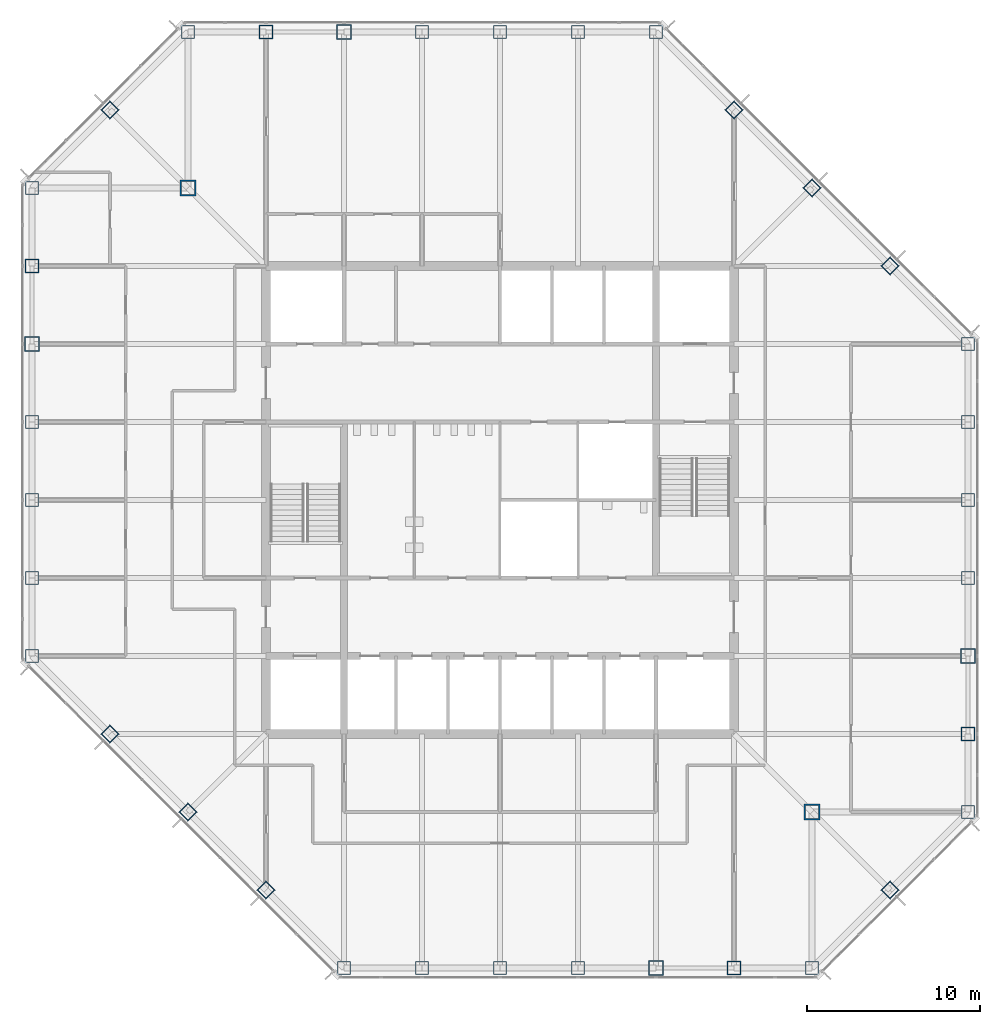
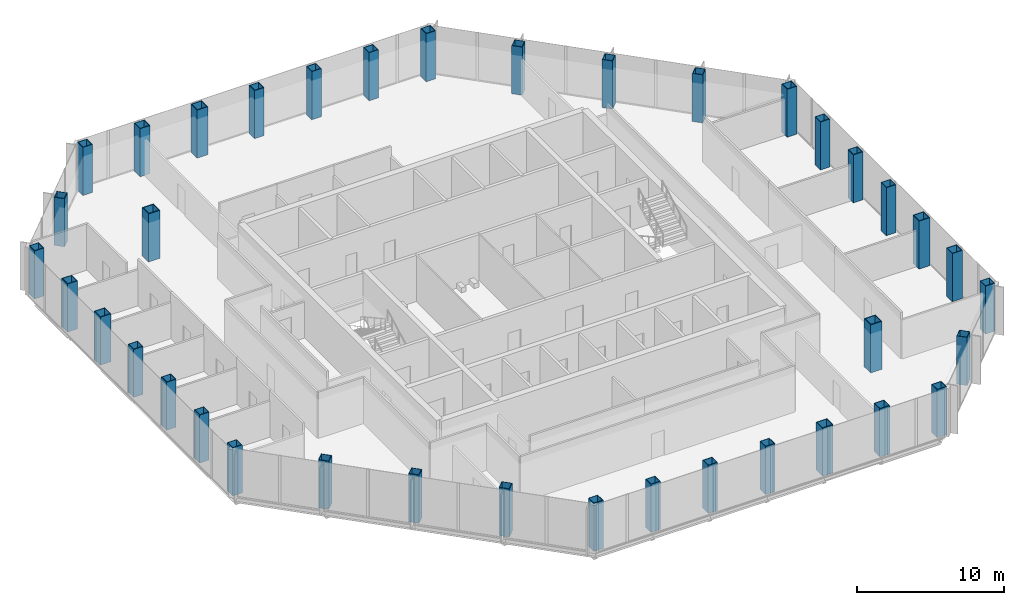
# One storey, part 1 of 13: 38 columns.
"""IFC4 building model written with IfcOpenShell, lengths in metres."""

import ifcopenshell
import ifcopenshell.guid

model = None  # the IFC model being written
_history = None  # IfcOwnerHistory: only IFC2X3 demands one
_inside = {}  # id of a spatial element -> (the spatial element, [elements in it])
_under = {}  # id of a project, library or spatial element -> (it, [spatial elements below it])
_declared = {}  # id of a project -> (the project, [libraries it declares])
_typed = {}  # id of a type object -> (the type object, [elements of that type])
_made_of = {}  # id of a material, layer set ... -> (it, [elements and type objects made of it])


def new_model(schema):
    """Start an empty IFC model of exactly this schema.

    Asked for "IFC4X3", IfcOpenShell would pick the latest addendum, in which some entities
    have other attributes; the version numbers below select the first issue.
    IFC2X3 requires an IfcOwnerHistory on every rooted entity: one is made here for all.
    """
    global model, _history
    if schema == "IFC4X3":
        model = ifcopenshell.file(schema_version=(4, 3, 0, 0))
    else:
        model = ifcopenshell.file(schema=schema)
    _inside.clear()
    _under.clear()
    _declared.clear()
    _typed.clear()
    _made_of.clear()
    _history = None
    if model.schema == "IFC2X3":
        org = make("IfcOrganization", Name="unknown")
        user = make(
            "IfcPersonAndOrganization",
            ThePerson=make("IfcPerson", FamilyName="unknown"),
            TheOrganization=org,
        )
        app = make(
            "IfcApplication",
            ApplicationDeveloper=org,
            Version="unknown",
            ApplicationFullName="unknown",
            ApplicationIdentifier="unknown",
        )
        _history = make(
            "IfcOwnerHistory",
            OwningUser=user,
            OwningApplication=app,
            ChangeAction="ADDED",
            CreationDate=0,
        )
    return model


def make(cls, **values):
    """One entity of the class cls with the attributes given. An attribute that is None is left unset."""
    return model.create_entity(
        cls, **{name: value for name, value in values.items() if value is not None}
    )


def rooted(cls, **values):
    """An entity with a GlobalId (a new one), such as an element, a storey or a relation."""
    return make(cls, GlobalId=ifcopenshell.guid.new(), OwnerHistory=_history, **values)


def si_unit(unit_type, name, prefix=None):
    """IfcSIUnit, for example si_unit("LENGTHUNIT", "METRE", prefix="MILLI")."""
    return make("IfcSIUnit", UnitType=unit_type, Prefix=prefix, Name=name)


def assignment(units):
    """IfcUnitAssignment: the units of a project."""
    return None if units is None else make("IfcUnitAssignment", Units=units)


def point(xyz):
    """IfcCartesianPoint."""
    return None if xyz is None else make("IfcCartesianPoint", Coordinates=xyz)


def direction(xyz):
    """IfcDirection."""
    return None if xyz is None else make("IfcDirection", DirectionRatios=xyz)


def frame(location, z_axis=None, x_axis=None):
    """IfcAxis2Placement3D, a coordinate frame: its origin and axes. An axis left out is left unset."""
    return make(
        "IfcAxis2Placement3D",
        Location=point(location),
        Axis=direction(z_axis),
        RefDirection=direction(x_axis),
    )


def frame_2d(location, x_axis=None):
    """IfcAxis2Placement2D, a coordinate frame in the plane: its origin and x axis."""
    return make(
        "IfcAxis2Placement2D", Location=point(location), RefDirection=direction(x_axis)
    )


def origin():
    """The frame at (0, 0, 0) with its axes left unset."""
    return frame((0.0, 0.0, 0.0))


def origin_2d():
    """The frame at (0, 0) in the plane with its x axis left unset."""
    return frame_2d((0.0, 0.0))


def place(relative_to, where):
    """IfcLocalPlacement: puts the frame where relative to a parent placement (None: the world)."""
    return make(
        "IfcLocalPlacement", PlacementRelTo=relative_to, RelativePlacement=where
    )


def context(
    kind, dimensions, precision=None, world=None, true_north=None, identifier=None
):
    """IfcGeometricRepresentationContext, for example the 3D "Model" context."""
    return make(
        "IfcGeometricRepresentationContext",
        ContextIdentifier=identifier,
        ContextType=kind,
        CoordinateSpaceDimension=dimensions,
        Precision=precision,
        WorldCoordinateSystem=world,
        TrueNorth=true_north,
    )


def subcontext(parent, identifier, kind, view, scale=None):
    """IfcGeometricRepresentationSubContext, for example "Body" below "Model"."""
    return make(
        "IfcGeometricRepresentationSubContext",
        ContextIdentifier=identifier,
        ContextType=kind,
        ParentContext=parent,
        TargetScale=scale,
        TargetView=view,
    )


def project(units=None, contexts=None):
    """IfcProject with its units and contexts."""
    return rooted(
        "IfcProject",
        Name="project",
        RepresentationContexts=contexts,
        UnitsInContext=assignment(units),
    )


def spatial(cls, under=None, at=None, **own):
    """A site, building, storey or space (cls), placed at a placement, below another one or the project."""
    s = rooted(cls, ObjectPlacement=at, **own)
    if under is not None:
        _under.setdefault(under.id(), (under, []))[1].append(s)
    return s


def profile(cls, at=None, kind="AREA", **sizes):
    """A parametric profile (cls). Its sizes go by their IFC names, for example OverallWidth=200.0."""
    return make(cls, ProfileType=kind, Position=at, **sizes)


def hollow_rectangle(**sizes):
    """IfcRectangleHollowProfileDef."""
    return profile("IfcRectangleHollowProfileDef", **sizes)


def extrude(swept, where, along, depth):
    """IfcExtrudedAreaSolid: the profile swept, set in the frame where, extruded along a direction by depth."""
    return make(
        "IfcExtrudedAreaSolid",
        SweptArea=swept,
        Position=where,
        ExtrudedDirection=direction(along),
        Depth=depth,
    )


def shape(context_of_items, identifier, shape_type, items):
    """IfcShapeRepresentation: the items that make up one representation, for example the "Body"."""
    return make(
        "IfcShapeRepresentation",
        ContextOfItems=context_of_items,
        RepresentationIdentifier=identifier,
        RepresentationType=shape_type,
        Items=items,
    )


def material(Name=None, Category=None):
    """IfcMaterial."""
    return make("IfcMaterial", Name=Name, Category=Category)


def material_profile(
    of_material, cross_section, Name=None, Category=None, Priority=None
):
    """IfcMaterialProfile: a cross section and its material."""
    return make(
        "IfcMaterialProfile",
        Name=Name,
        Material=of_material,
        Profile=cross_section,
        Priority=Priority,
        Category=Category,
    )


def profile_set(profiles, Name=None, composite=None):
    """IfcMaterialProfileSet."""
    return make(
        "IfcMaterialProfileSet",
        Name=Name,
        MaterialProfiles=profiles,
        CompositeProfile=composite,
    )


def made_of(thing, what):
    """Note that an element or type object is made of a material, layer set ...; save() writes the relation."""
    if what is not None:
        _made_of.setdefault(what.id(), (what, []))[1].append(thing)
    return thing


def type_object(cls, material=None, **own):
    """A type object (cls), such as IfcWallType, which elements share."""
    return made_of(rooted(cls, **own), material)


def element(
    cls,
    number,
    at=None,
    inside=None,
    cuts=None,
    type_object=None,
    material=None,
    context=None,
    identifier="Body",
    shape_type=None,
    held_by="IfcProductDefinitionShape",
    body=None,
    shapes=None,
    **own,
):
    """One element of the class cls, such as IfcWall. Its Tag is "e" and its number.

    at: its placement. inside: the storey or other place that contains it. cuts: it is an
    opening in that element (IfcRelVoidsElement). A single representation is given by context,
    identifier, shape_type and body (its items); several are given by shapes. held_by: the class
    of the entity that holds the representations. save() writes the other relations.
    """
    e = rooted(cls, Tag="e%d" % number, ObjectPlacement=at, **own)
    if body is not None:
        shapes = [shape(context, identifier, shape_type, body)]
    if shapes is not None:
        e.Representation = make(held_by, Representations=shapes)
    if inside is not None:
        _inside.setdefault(inside.id(), (inside, []))[1].append(e)
    if cuts is not None:
        rooted(
            "IfcRelVoidsElement", RelatingBuildingElement=cuts, RelatedOpeningElement=e
        )
    if type_object is not None:
        _typed.setdefault(type_object.id(), (type_object, []))[1].append(e)
    return made_of(e, material)


def aggregate(whole, parts):
    """IfcRelAggregates: a whole, such as a stair, and the parts it consists of."""
    return rooted("IfcRelAggregates", RelatingObject=whole, RelatedObjects=parts)


def save(model, path):
    """Write the relations noted so far, then the file.

    IfcRelAggregates (storeys below a building ...), IfcRelContainedInSpatialStructure (elements
    in a storey), IfcRelDefinesByType, IfcRelAssociatesMaterial and IfcRelDeclares: one each for
    every whole, place, type object, material and project.
    """
    for whole, parts in _under.values():
        aggregate(whole, parts)
    for where, things in _inside.values():
        rooted(
            "IfcRelContainedInSpatialStructure",
            RelatedElements=things,
            RelatingStructure=where,
        )
    for kind, things in _typed.values():
        rooted("IfcRelDefinesByType", RelatedObjects=things, RelatingType=kind)
    for what, things in _made_of.values():
        rooted("IfcRelAssociatesMaterial", RelatedObjects=things, RelatingMaterial=what)
    for by, libraries in _declared.values():
        rooted("IfcRelDeclares", RelatingContext=by, RelatedDefinitions=libraries)
    model.write(path)


model = new_model("IFC4")

# Units and contexts
model_context = context("Model", 3, precision=1e-05, world=origin(), true_north=direction((0.0, 1.0)))
body_context = subcontext(model_context, "Body", "Model", "MODEL_VIEW")
ifc_project = project(units=[si_unit("LENGTHUNIT", "METRE"), si_unit("AREAUNIT", "SQUARE_METRE"), si_unit("VOLUMEUNIT", "CUBIC_METRE"), si_unit("PLANEANGLEUNIT", "RADIAN"), si_unit("MASSUNIT", "GRAM", prefix="KILO")], contexts=[model_context])

# Site, building, storey
site_placement = place(None, origin())
site = spatial("IfcSite", under=ifc_project, at=site_placement, CompositionType="ELEMENT")
building_placement = place(site_placement, origin())
building = spatial("IfcBuilding", under=site, at=building_placement, Name="Corais Broadcast Tower", CompositionType="ELEMENT")
storey_placement = place(building_placement, frame((0.0, 0.0, 151.60009765625)))
storey = spatial("IfcBuildingStorey", under=building, at=storey_placement, Name="L34", CompositionType="ELEMENT", Elevation=151.60009765625)

# Columns
ifc_material_1 = material(Name="Steel ASTM A572 Grade 50", Category="steel")
ifc_material_profile_1 = material_profile(ifc_material_1, hollow_rectangle(XDim=0.75, YDim=0.75, WallThickness=0.0400390625, at=origin_2d()), Name="BOX 750x750x40")
ifc_profile_set_1 = profile_set([ifc_material_profile_1], Name="Steel ASTM A572 Grade 50")
column_type_1 = type_object("IfcColumnType", Name="Column BOX 750x750x40", PredefinedType="COLUMN", material=ifc_profile_set_1)
for number, where, z_axis, x_axis, name in (
    (1, (18.0, 0.0, 0.0), (0.0, 0.0, 1.0), (1.0, 0.0, 0.0), "C4 A/7"),
    (2, (22.5, 0.0, 0.0), (0.0, 0.0, 1.0), (1.0, 0.0, 0.0), "C4 A/8"),
    (3, (27.0, 0.0, 0.0), (0.0, 0.0, 1.0), (1.0, 0.0, 0.0), "C4 A/9"),
    (4, (31.5, 0.0, 0.0), (0.0, 0.0, 1.0), (1.0, 0.0, 0.0), "C4 A/10"),
    (5, (45.0, 0.0, 0.0), (0.0, 0.0, 1.0), (1.0, 0.0, 0.0), "C4 A/13"),
    (6, (54.0, 9.0, 0.0), (0.0, 0.0, 1.0), (1.0, 0.0, 0.0), "C4 C/15"),
    (7, (54.0, 22.5, 0.0), (0.0, 0.0, 1.0), (1.0, 0.0, 0.0), "C4 F/15"),
    (8, (54.0, 27.0, 0.0), (0.0, 0.0, 1.0), (1.0, 0.0, 0.0), "C4 G/15"),
    (9, (54.0, 31.5, 0.0), (0.0, 0.0, 1.0), (1.0, 0.0, 0.0), "C4 H/15"),
    (10, (54.0, 36.0, 0.0), (0.0, 0.0, 1.0), (1.0, 0.0, 0.0), "C4 J/15"),
    (11, (36.0, 54.0, 0.0), (0.0, 0.0, 1.0), (1.0, 0.0, 0.0), "C4 N/11"),
    (12, (31.5, 54.0, 0.0), (0.0, 0.0, 1.0), (1.0, 0.0, 0.0), "C4 N/10"),
    (13, (27.0, 54.0, 0.0), (0.0, 0.0, 1.0), (1.0, 0.0, 0.0), "C4 N/9"),
    (14, (22.5, 54.0, 0.0), (0.0, 0.0, 1.0), (1.0, 0.0, 0.0), "C4 N/8"),
    (15, (9.0, 54.0, 0.0), (0.0, 0.0, 1.0), (1.0, 0.0, 0.0), "C4 N/5"),
    (16, (0.0, 45.0, 0.0), (0.0, 0.0, 1.0), (1.0, 0.0, 0.0), "C4 L/3"),
    (17, (0.0, 31.5, 0.0), (0.0, 0.0, 1.0), (1.0, 0.0, 0.0), "C4 H/3"),
    (18, (0.0, 27.0, 0.0), (0.0, 0.0, 1.0), (1.0, 0.0, 0.0), "C4 G/3"),
    (19, (0.0, 22.5, 0.0), (0.0, 0.0, 1.0), (1.0, 0.0, 0.0), "C4 F/3"),
    (20, (0.0, 18.0, 0.0), (0.0, 0.0, 1.0), (1.0, 0.0, 0.0), "C4 E/3"),
    (21, (13.5, 4.5, 0.0), (0.0, 0.0, 1.0), (0.707106781187, 0.707106781187, 0.0), "C4 B/6"),
    (22, (9.0, 9.0, 0.0), (0.0, 0.0, 1.0), (0.707106781187, 0.707106781187, 0.0), "C4 C/5"),
    (23, (4.5, 13.5, 0.0), (0.0, 0.0, 1.0), (0.707106781187, 0.707106781187, 0.0), "C4 D/4"),
    (24, (49.5, 4.5, 0.0), (0.0, 0.0, 1.0), (0.707106781187, 0.707106781187, 0.0), "C4 B/14"),
    (25, (49.5, 40.5, 0.0), (0.0, 0.0, 1.0), (0.707106781187, 0.707106781187, 0.0), "C4 K/14"),
    (26, (45.0, 45.0, 0.0), (0.0, 0.0, 1.0), (0.707106781187, 0.707106781187, 0.0), "C4 L/13"),
    (27, (40.5, 49.5, 0.0), (0.0, 0.0, 1.0), (0.707106781187, 0.707106781187, 0.0), "C4 M/12"),
    (28, (4.5, 49.5, 0.0), (0.0, 0.0, 1.0), (0.707106781187, 0.707106781187, 0.0), "C4 M/4"),
):
    element("IfcColumn", number, at=place(storey_placement, frame(where, z_axis=z_axis, x_axis=x_axis)), inside=storey, type_object=column_type_1, Name=name, PredefinedType="COLUMN", context=body_context, shape_type="SweptSolid", body=[
        extrude(hollow_rectangle(XDim=0.75, YDim=0.75, WallThickness=0.0400390625, at=origin_2d()), origin(), (0.0, 0.0, 1.0), 4.0),
    ])
ifc_material_2 = material(Name="Steel ASTM A572 Grade 50", Category="steel")
ifc_material_profile_2 = material_profile(ifc_material_2, hollow_rectangle(XDim=0.800048828125, YDim=0.800048828125, WallThickness=0.044921875, at=origin_2d()), Name="BOX 800x800x45")
ifc_profile_set_2 = profile_set([ifc_material_profile_2], Name="Steel ASTM A572 Grade 50")
column_type_2 = type_object("IfcColumnType", Name="Column BOX 800x800x45", PredefinedType="COLUMN", material=ifc_profile_set_2)
for number, where, z_axis, x_axis, name in (
    (29, (40.5, 0.0, 0.0), (0.0, 0.0, 1.0), (1.0, 0.0, 0.0), "C3 A/12"),
    (30, (54.0, 13.5, 0.0), (0.0, 0.0, 1.0), (1.0, 0.0, 0.0), "C3 D/15"),
    (31, (13.5, 54.0, 0.0), (0.0, 0.0, 1.0), (1.0, 0.0, 0.0), "C3 N/6"),
    (32, (0.0, 40.5, 0.0), (0.0, 0.0, 1.0), (1.0, 0.0, 0.0), "C3 K/3"),
):
    element("IfcColumn", number, at=place(storey_placement, frame(where, z_axis=z_axis, x_axis=x_axis)), inside=storey, type_object=column_type_2, Name=name, PredefinedType="COLUMN", context=body_context, shape_type="SweptSolid", body=[
        extrude(hollow_rectangle(XDim=0.800048828125, YDim=0.800048828125, WallThickness=0.044921875, at=origin_2d()), origin(), (0.0, 0.0, 1.0), 4.0),
    ])
ifc_material_3 = material(Name="Steel ASTM A572 Grade 50", Category="steel")
ifc_material_profile_3 = material_profile(ifc_material_3, hollow_rectangle(XDim=0.85009765625, YDim=0.85009765625, WallThickness=0.050048828125, at=origin_2d()), Name="BOX 850x850x50")
ifc_profile_set_3 = profile_set([ifc_material_profile_3], Name="Steel ASTM A572 Grade 50")
column_type_3 = type_object("IfcColumnType", Name="Column BOX 850x850x50", PredefinedType="COLUMN", material=ifc_profile_set_3)
for number, where, z_axis, x_axis, name in (
    (33, (36.0, 0.0, 0.0), (0.0, 0.0, 1.0), (1.0, 0.0, 0.0), "C1 A/11"),
    (34, (54.0, 18.0, 0.0), (0.0, 0.0, 1.0), (1.0, 0.0, 0.0), "C1 E/15"),
    (35, (18.0, 54.0, 0.0), (0.0, 0.0, 1.0), (1.0, 0.0, 0.0), "C1 N/7"),
    (36, (0.0, 36.0, 0.0), (0.0, 0.0, 1.0), (1.0, 0.0, 0.0), "C1 J/3"),
):
    element("IfcColumn", number, at=place(storey_placement, frame(where, z_axis=z_axis, x_axis=x_axis)), inside=storey, type_object=column_type_3, Name=name, PredefinedType="COLUMN", context=body_context, shape_type="SweptSolid", body=[
        extrude(hollow_rectangle(XDim=0.85009765625, YDim=0.85009765625, WallThickness=0.050048828125, at=origin_2d()), origin(), (0.0, 0.0, 1.0), 4.0),
    ])
ifc_material_4 = material(Name="Steel ASTM A572 Grade 50", Category="steel")
ifc_material_profile_4 = material_profile(ifc_material_4, hollow_rectangle(XDim=0.89990234375, YDim=0.89990234375, WallThickness=0.06298828125, at=origin_2d()), Name="BOX 900x900x63")
ifc_profile_set_4 = profile_set([ifc_material_profile_4], Name="Steel ASTM A572 Grade 50")
column_type_4 = type_object("IfcColumnType", Name="Column BOX 900x900x63", PredefinedType="COLUMN", material=ifc_profile_set_4)
for number, where, z_axis, x_axis, name in (
    (37, (45.0, 9.0, 0.0), (0.0, 0.0, 1.0), (1.0, 0.0, 0.0), "C2 C/13"),
    (38, (9.0, 45.0, 0.0), (0.0, 0.0, 1.0), (1.0, 0.0, 0.0), "C2 L/5"),
):
    element("IfcColumn", number, at=place(storey_placement, frame(where, z_axis=z_axis, x_axis=x_axis)), inside=storey, type_object=column_type_4, Name=name, PredefinedType="COLUMN", context=body_context, shape_type="SweptSolid", body=[
        extrude(hollow_rectangle(XDim=0.89990234375, YDim=0.89990234375, WallThickness=0.06298828125, at=origin_2d()), origin(), (0.0, 0.0, 1.0), 4.0),
    ])

save(model, "model.ifc")
